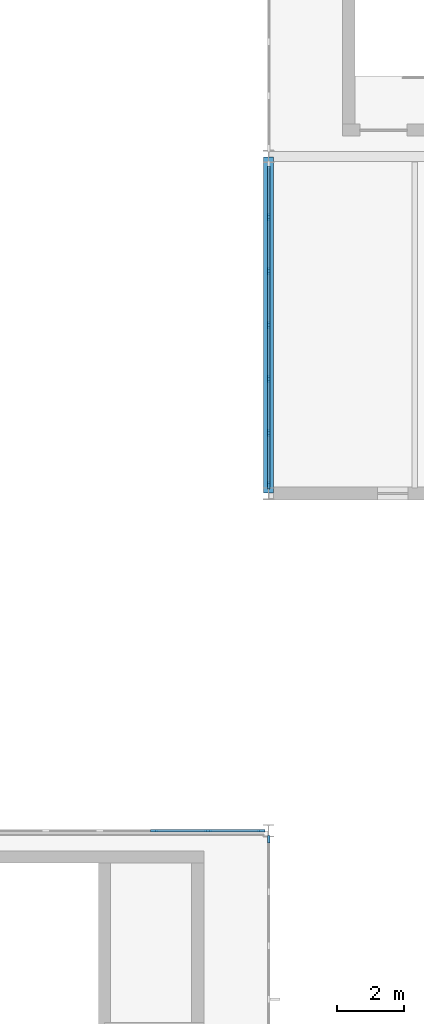
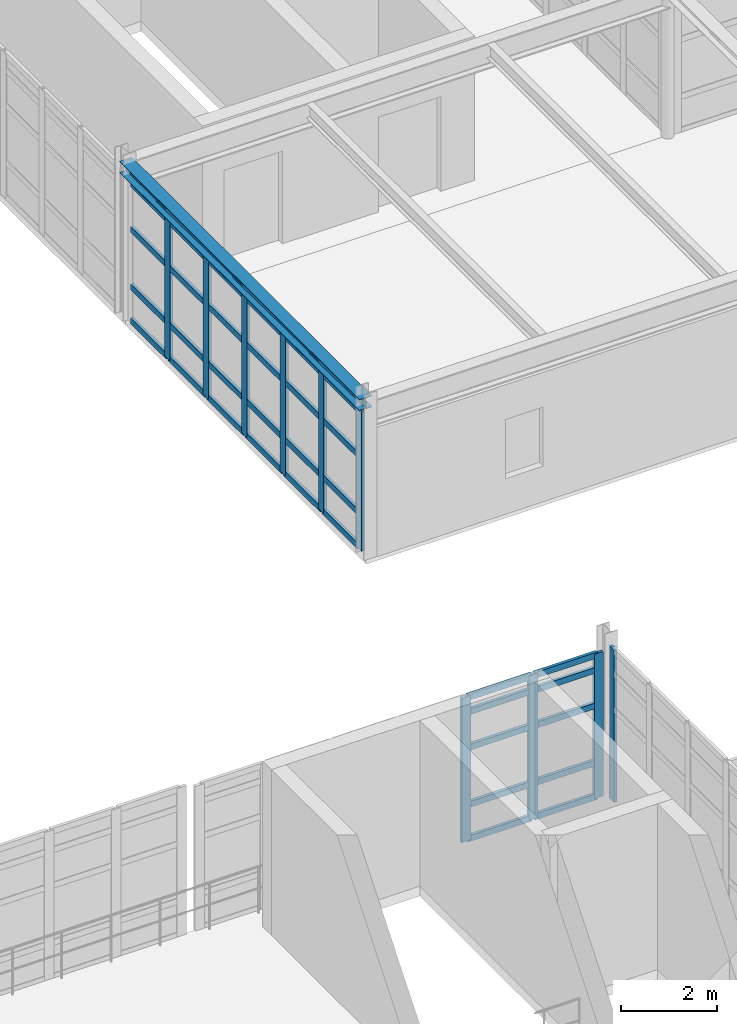
# One storey, part 48 of 122: 44 members, 1 beam, 3 elements without a shape of their own.
"""IFC4 building model written with IfcOpenShell, lengths in metres."""

from ifc_helpers import new_model, si_unit, direction, frame, origin, origin_2d, place, context, subcontext, project, spatial, rectangle, i_section, extrude, material, layer, layer_set, material_profile, profile_set, type_object, element, aggregate, save


model = new_model("IFC4")

# Units and contexts
model_context = context("Model", 3, precision=1e-05, world=origin(), true_north=direction((0.0, 1.0)))
body_context = subcontext(model_context, "Body", "Model", "MODEL_VIEW")
ifc_project = project(units=[si_unit("LENGTHUNIT", "METRE"), si_unit("AREAUNIT", "SQUARE_METRE"), si_unit("VOLUMEUNIT", "CUBIC_METRE"), si_unit("PLANEANGLEUNIT", "RADIAN"), si_unit("MASSUNIT", "GRAM", prefix="KILO"), si_unit("THERMODYNAMICTEMPERATUREUNIT", "KELVIN"), si_unit("POWERUNIT", "WATT")], contexts=[model_context])

# Site, building, storey
site_placement = place(None, origin())
site = spatial("IfcSite", under=ifc_project, at=site_placement, CompositionType="ELEMENT")
building_placement = place(site_placement, origin())
building = spatial("IfcBuilding", under=site, at=building_placement, Name="Korenveer Ferry Terminal", CompositionType="ELEMENT")
storey_placement = place(building_placement, frame((0.0, 0.0, 10.199951171875)))
storey = spatial("IfcBuildingStorey", under=building, at=storey_placement, Name="L02", CompositionType="ELEMENT", Elevation=10.199951171875)

# Curtain wall, members
ifc_material_1 = material(Name="Unitised bronze-and-glass curtain wall", Category="glass")
ifc_layer_1 = layer(ifc_material_1, 0.219970703125)
ifc_layer_set_1 = layer_set([ifc_layer_1], Name="Unitised bronze-and-glass curtain wall")
curtain_wall_type_1 = type_object("IfcCurtainWallType", Name="ENV-CW-91", PredefinedType="USERDEFINED", material=ifc_layer_set_1)
curtain_wall_1_placement = place(storey_placement, frame((113.179931640625, 60.0, 0.0)))
curtain_wall_1 = element("IfcCurtainWall", 1, at=curtain_wall_1_placement, inside=storey, type_object=curtain_wall_type_1, Name="Lancet curtain wall CWX-L02-X113-123-Y60-60", ObjectType="UNITISED CURTAIN WALL", PredefinedType="USERDEFINED")
ifc_material_2 = material(Name="Anodised bronze aluminium", Category="aluminium")
ifc_material_profile_1 = material_profile(ifc_material_2, rectangle(XDim=0.074951171875, YDim=0.219970703125, at=origin_2d()), Name="ALU 75x220")
ifc_profile_set_1 = profile_set([ifc_material_profile_1], Name="Anodised bronze aluminium")
member_type_1 = type_object("IfcMemberType", Name="ENV-CWM-75X220", PredefinedType="MULLION", material=ifc_profile_set_1)
member_1_placement = place(storey_placement, frame((119.606689453125, 60.0, 0.0), z_axis=(0.0, 0.0, 1.0), x_axis=(0.0, 1.0, 0.0)))
member_1 = element("IfcMember", 2, at=member_1_placement, type_object=member_type_1, Name="CW-91 mullion 5", PredefinedType="MULLION", context=body_context, shape_type="SweptSolid", body=[
    extrude(rectangle(XDim=0.074951171875, YDim=0.219970703125, at=origin_2d()), origin(), (0.0, 0.0, 1.0), 3.66015625),
])
member_2_placement = place(storey_placement, frame((121.21337890625, 60.0, 0.0), z_axis=(0.0, 0.0, 1.0), x_axis=(0.0, 1.0, 0.0)))
member_2 = element("IfcMember", 3, at=member_2_placement, type_object=member_type_1, Name="CW-91 mullion 6", PredefinedType="MULLION", context=body_context, shape_type="SweptSolid", body=[
    extrude(rectangle(XDim=0.074951171875, YDim=0.219970703125, at=origin_2d()), origin(), (0.0, 0.0, 1.0), 3.66015625),
])
member_3_placement = place(storey_placement, frame((122.782470703125, 60.0, 0.0), z_axis=(0.0, 0.0, 1.0), x_axis=(0.0, 1.0, 0.0)))
member_3 = element("IfcMember", 4, at=member_3_placement, type_object=member_type_1, Name="CW-91 mullion 7", PredefinedType="MULLION", context=body_context, shape_type="SweptSolid", body=[
    extrude(rectangle(XDim=0.074951171875, YDim=0.219970703125, at=origin_2d()), origin(), (0.0, 0.0, 1.0), 3.66015625),
])

# Curtain wall, member
ifc_layer_2 = layer(ifc_material_1, 0.219970703125)
ifc_layer_set_2 = layer_set([ifc_layer_2], Name="Unitised bronze-and-glass curtain wall")
curtain_wall_type_2 = type_object("IfcCurtainWallType", Name="ENV-CW-120", PredefinedType="USERDEFINED", material=ifc_layer_set_2)
curtain_wall_2_placement = place(storey_placement, frame((123.0, 59.7900390625, 0.0)))
curtain_wall_2 = element("IfcCurtainWall", 5, at=curtain_wall_2_placement, inside=storey, type_object=curtain_wall_type_2, Name="Lancet curtain wall CWX-L02-X123-123-Y50-60", ObjectType="UNITISED CURTAIN WALL", PredefinedType="USERDEFINED")
member_4_placement = place(storey_placement, frame((123.0, 59.75244140625, 0.0), z_axis=(0.0, 0.0, 1.0), x_axis=(1.0, 0.0, 0.0)))
member_4 = element("IfcMember", 6, at=member_4_placement, type_object=member_type_1, Name="CW-120 mullion 1", PredefinedType="MULLION", context=body_context, shape_type="SweptSolid", body=[
    extrude(rectangle(XDim=0.074951171875, YDim=0.219970703125, at=origin_2d()), origin(), (0.0, 0.0, 1.0), 3.860107421875),
])
aggregate(curtain_wall_2, [member_4])

# Curtain wall, members
ifc_layer_3 = layer(ifc_material_1, 0.219970703125)
ifc_layer_set_3 = layer_set([ifc_layer_3], Name="Unitised bronze-and-glass curtain wall")
curtain_wall_type_3 = type_object("IfcCurtainWallType", Name="ENV-CW-121", PredefinedType="USERDEFINED", material=ifc_layer_set_3)
curtain_wall_3_placement = place(storey_placement, frame((123.0, 70.2099609375, 0.0)))
curtain_wall_3 = element("IfcCurtainWall", 7, at=curtain_wall_3_placement, inside=storey, type_object=curtain_wall_type_3, Name="Lancet curtain wall CWX-L02-X123-123-Y70-80", ObjectType="UNITISED CURTAIN WALL", PredefinedType="USERDEFINED")
member_5_placement = place(storey_placement, frame((123.0, 70.24755859375, 0.0), z_axis=(0.0, 0.0, 1.0), x_axis=(-1.0, 0.0, 0.0)))
member_5 = element("IfcMember", 8, at=member_5_placement, type_object=member_type_1, Name="CW-121 mullion 1", PredefinedType="MULLION", context=body_context, shape_type="SweptSolid", body=[
    extrude(rectangle(XDim=0.074951171875, YDim=0.219970703125, at=origin_2d()), origin(), (0.0, 0.0, 1.0), 3.5400390625),
])
member_6_placement = place(storey_placement, frame((123.0, 71.806640625, 0.0), z_axis=(0.0, 0.0, 1.0), x_axis=(-1.0, 0.0, 0.0)))
member_6 = element("IfcMember", 9, at=member_6_placement, type_object=member_type_1, Name="CW-121 mullion 2", PredefinedType="MULLION", context=body_context, shape_type="SweptSolid", body=[
    extrude(rectangle(XDim=0.074951171875, YDim=0.219970703125, at=origin_2d()), origin(), (0.0, 0.0, 1.0), 3.5400390625),
])
member_7_placement = place(storey_placement, frame((123.0, 73.4033203125, 0.0), z_axis=(0.0, 0.0, 1.0), x_axis=(-1.0, 0.0, 0.0)))
member_7 = element("IfcMember", 10, at=member_7_placement, type_object=member_type_1, Name="CW-121 mullion 3", PredefinedType="MULLION", context=body_context, shape_type="SweptSolid", body=[
    extrude(rectangle(XDim=0.074951171875, YDim=0.219970703125, at=origin_2d()), origin(), (0.0, 0.0, 1.0), 3.5400390625),
])
member_8_placement = place(storey_placement, frame((123.0, 75.0, 0.0), z_axis=(0.0, 0.0, 1.0), x_axis=(-1.0, 0.0, 0.0)))
member_8 = element("IfcMember", 11, at=member_8_placement, type_object=member_type_1, Name="CW-121 mullion 4", PredefinedType="MULLION", context=body_context, shape_type="SweptSolid", body=[
    extrude(rectangle(XDim=0.074951171875, YDim=0.219970703125, at=origin_2d()), origin(), (0.0, 0.0, 1.0), 3.5400390625),
])
member_9_placement = place(storey_placement, frame((123.0, 76.5966796875, 0.0), z_axis=(0.0, 0.0, 1.0), x_axis=(-1.0, 0.0, 0.0)))
member_9 = element("IfcMember", 12, at=member_9_placement, type_object=member_type_1, Name="CW-121 mullion 5", PredefinedType="MULLION", context=body_context, shape_type="SweptSolid", body=[
    extrude(rectangle(XDim=0.074951171875, YDim=0.219970703125, at=origin_2d()), origin(), (0.0, 0.0, 1.0), 3.5400390625),
])
member_10_placement = place(storey_placement, frame((123.0, 78.193359375, 0.0), z_axis=(0.0, 0.0, 1.0), x_axis=(-1.0, 0.0, 0.0)))
member_10 = element("IfcMember", 13, at=member_10_placement, type_object=member_type_1, Name="CW-121 mullion 6", PredefinedType="MULLION", context=body_context, shape_type="SweptSolid", body=[
    extrude(rectangle(XDim=0.074951171875, YDim=0.219970703125, at=origin_2d()), origin(), (0.0, 0.0, 1.0), 3.5400390625),
])

# Member
ifc_material_profile_2 = material_profile(ifc_material_2, rectangle(XDim=0.074951171875, YDim=0.14990234375, at=origin_2d()), Name="ALU 75x150")
ifc_profile_set_2 = profile_set([ifc_material_profile_2], Name="Anodised bronze aluminium")
member_type_2 = type_object("IfcMemberType", Name="ENV-CWT-75X150", PredefinedType="USERDEFINED", material=ifc_profile_set_2)
member_11_placement = place(storey_placement, frame((119.644287109375, 60.0, 0.03759765625), z_axis=(1.0, 0.0, 0.0), x_axis=(0.0, 1.0, 0.0)))
member_11 = element("IfcMember", 14, at=member_11_placement, type_object=member_type_2, Name="CW-91 transom 5.1", ObjectType="TRANSOM", PredefinedType="USERDEFINED", context=body_context, shape_type="SweptSolid", body=[
    extrude(rectangle(XDim=0.074951171875, YDim=0.14990234375, at=origin_2d()), origin(), (0.0, 0.0, 1.0), 1.531494140625),
])

member_12_placement = place(storey_placement, frame((119.644287109375, 60.0, 0.900146484375), z_axis=(1.0, 0.0, 0.0), x_axis=(0.0, 1.0, 0.0)))
member_12 = element("IfcMember", 15, at=member_12_placement, type_object=member_type_2, Name="CW-91 transom 5.2", ObjectType="TRANSOM", PredefinedType="USERDEFINED", context=body_context, shape_type="SweptSolid", body=[
    extrude(rectangle(XDim=0.074951171875, YDim=0.14990234375, at=origin_2d()), origin(), (0.0, 0.0, 1.0), 1.531494140625),
])

member_13_placement = place(storey_placement, frame((119.644287109375, 60.0, 2.35009765625), z_axis=(1.0, 0.0, 0.0), x_axis=(0.0, 1.0, 0.0)))
member_13 = element("IfcMember", 16, at=member_13_placement, type_object=member_type_2, Name="CW-91 transom 5.3", ObjectType="TRANSOM", PredefinedType="USERDEFINED", context=body_context, shape_type="SweptSolid", body=[
    extrude(rectangle(XDim=0.074951171875, YDim=0.14990234375, at=origin_2d()), origin(), (0.0, 0.0, 1.0), 1.531494140625),
])

member_14_placement = place(storey_placement, frame((119.644287109375, 60.0, 3.25), z_axis=(1.0, 0.0, 0.0), x_axis=(0.0, 1.0, 0.0)))
member_14 = element("IfcMember", 17, at=member_14_placement, type_object=member_type_2, Name="CW-91 transom 5.4", ObjectType="TRANSOM", PredefinedType="USERDEFINED", context=body_context, shape_type="SweptSolid", body=[
    extrude(rectangle(XDim=0.074951171875, YDim=0.14990234375, at=origin_2d()), origin(), (0.0, 0.0, 1.0), 1.531494140625),
])

member_15_placement = place(storey_placement, frame((119.644287109375, 60.0, 3.62255859375), z_axis=(1.0, 0.0, 0.0), x_axis=(0.0, 1.0, 0.0)))
member_15 = element("IfcMember", 18, at=member_15_placement, type_object=member_type_2, Name="CW-91 transom 5.5", ObjectType="TRANSOM", PredefinedType="USERDEFINED", context=body_context, shape_type="SweptSolid", body=[
    extrude(rectangle(XDim=0.074951171875, YDim=0.14990234375, at=origin_2d()), origin(), (0.0, 0.0, 1.0), 1.531494140625),
])

member_16_placement = place(storey_placement, frame((121.250732421875, 60.0, 0.03759765625), z_axis=(1.0, 0.0, 0.0), x_axis=(0.0, 1.0, 0.0)))
member_16 = element("IfcMember", 19, at=member_16_placement, type_object=member_type_2, Name="CW-91 transom 6.1", ObjectType="TRANSOM", PredefinedType="USERDEFINED", context=body_context, shape_type="SweptSolid", body=[
    extrude(rectangle(XDim=0.074951171875, YDim=0.14990234375, at=origin_2d()), origin(), (0.0, 0.0, 1.0), 1.494384765625),
])

member_17_placement = place(storey_placement, frame((121.250732421875, 60.0, 0.900146484375), z_axis=(1.0, 0.0, 0.0), x_axis=(0.0, 1.0, 0.0)))
member_17 = element("IfcMember", 20, at=member_17_placement, type_object=member_type_2, Name="CW-91 transom 6.2", ObjectType="TRANSOM", PredefinedType="USERDEFINED", context=body_context, shape_type="SweptSolid", body=[
    extrude(rectangle(XDim=0.074951171875, YDim=0.14990234375, at=origin_2d()), origin(), (0.0, 0.0, 1.0), 1.494384765625),
])

member_18_placement = place(storey_placement, frame((121.250732421875, 60.0, 2.35009765625), z_axis=(1.0, 0.0, 0.0), x_axis=(0.0, 1.0, 0.0)))
member_18 = element("IfcMember", 21, at=member_18_placement, type_object=member_type_2, Name="CW-91 transom 6.3", ObjectType="TRANSOM", PredefinedType="USERDEFINED", context=body_context, shape_type="SweptSolid", body=[
    extrude(rectangle(XDim=0.074951171875, YDim=0.14990234375, at=origin_2d()), origin(), (0.0, 0.0, 1.0), 1.494384765625),
])

member_19_placement = place(storey_placement, frame((121.250732421875, 60.0, 3.25), z_axis=(1.0, 0.0, 0.0), x_axis=(0.0, 1.0, 0.0)))
member_19 = element("IfcMember", 22, at=member_19_placement, type_object=member_type_2, Name="CW-91 transom 6.4", ObjectType="TRANSOM", PredefinedType="USERDEFINED", context=body_context, shape_type="SweptSolid", body=[
    extrude(rectangle(XDim=0.074951171875, YDim=0.14990234375, at=origin_2d()), origin(), (0.0, 0.0, 1.0), 1.494384765625),
])

member_20_placement = place(storey_placement, frame((121.250732421875, 60.0, 3.62255859375), z_axis=(1.0, 0.0, 0.0), x_axis=(0.0, 1.0, 0.0)))
member_20 = element("IfcMember", 23, at=member_20_placement, type_object=member_type_2, Name="CW-91 transom 6.5", ObjectType="TRANSOM", PredefinedType="USERDEFINED", context=body_context, shape_type="SweptSolid", body=[
    extrude(rectangle(XDim=0.074951171875, YDim=0.14990234375, at=origin_2d()), origin(), (0.0, 0.0, 1.0), 1.494384765625),
])

aggregate(curtain_wall_1, [member_1, member_2, member_3, member_11, member_12, member_13, member_14, member_15, member_16, member_17, member_18, member_19, member_20])

member_21_placement = place(storey_placement, frame((123.0, 70.284912109375, 0.03759765625), z_axis=(0.0, 1.0, 0.0), x_axis=(-1.0, 0.0, 0.0)))
member_21 = element("IfcMember", 24, at=member_21_placement, type_object=member_type_2, Name="CW-121 transom 1.1", ObjectType="TRANSOM", PredefinedType="USERDEFINED", context=body_context, shape_type="SweptSolid", body=[
    extrude(rectangle(XDim=0.074951171875, YDim=0.14990234375, at=origin_2d()), origin(), (0.0, 0.0, 1.0), 1.484375),
])

member_22_placement = place(storey_placement, frame((123.0, 70.284912109375, 0.900146484375), z_axis=(0.0, 1.0, 0.0), x_axis=(-1.0, 0.0, 0.0)))
member_22 = element("IfcMember", 25, at=member_22_placement, type_object=member_type_2, Name="CW-121 transom 1.2", ObjectType="TRANSOM", PredefinedType="USERDEFINED", context=body_context, shape_type="SweptSolid", body=[
    extrude(rectangle(XDim=0.074951171875, YDim=0.14990234375, at=origin_2d()), origin(), (0.0, 0.0, 1.0), 1.484375),
])

member_23_placement = place(storey_placement, frame((123.0, 70.284912109375, 2.35009765625), z_axis=(0.0, 1.0, 0.0), x_axis=(-1.0, 0.0, 0.0)))
member_23 = element("IfcMember", 26, at=member_23_placement, type_object=member_type_2, Name="CW-121 transom 1.3", ObjectType="TRANSOM", PredefinedType="USERDEFINED", context=body_context, shape_type="SweptSolid", body=[
    extrude(rectangle(XDim=0.074951171875, YDim=0.14990234375, at=origin_2d()), origin(), (0.0, 0.0, 1.0), 1.484375),
])

member_24_placement = place(storey_placement, frame((123.0, 70.284912109375, 3.50244140625), z_axis=(0.0, 1.0, 0.0), x_axis=(-1.0, 0.0, 0.0)))
member_24 = element("IfcMember", 27, at=member_24_placement, type_object=member_type_2, Name="CW-121 transom 1.4", ObjectType="TRANSOM", PredefinedType="USERDEFINED", context=body_context, shape_type="SweptSolid", body=[
    extrude(rectangle(XDim=0.074951171875, YDim=0.14990234375, at=origin_2d()), origin(), (0.0, 0.0, 1.0), 1.484375),
])

member_25_placement = place(storey_placement, frame((123.0, 71.84423828125, 0.03759765625), z_axis=(0.0, 1.0, 0.0), x_axis=(-1.0, 0.0, 0.0)))
member_25 = element("IfcMember", 28, at=member_25_placement, type_object=member_type_2, Name="CW-121 transom 2.1", ObjectType="TRANSOM", PredefinedType="USERDEFINED", context=body_context, shape_type="SweptSolid", body=[
    extrude(rectangle(XDim=0.074951171875, YDim=0.14990234375, at=origin_2d()), origin(), (0.0, 0.0, 1.0), 1.521484375),
])

member_26_placement = place(storey_placement, frame((123.0, 71.84423828125, 0.900146484375), z_axis=(0.0, 1.0, 0.0), x_axis=(-1.0, 0.0, 0.0)))
member_26 = element("IfcMember", 29, at=member_26_placement, type_object=member_type_2, Name="CW-121 transom 2.2", ObjectType="TRANSOM", PredefinedType="USERDEFINED", context=body_context, shape_type="SweptSolid", body=[
    extrude(rectangle(XDim=0.074951171875, YDim=0.14990234375, at=origin_2d()), origin(), (0.0, 0.0, 1.0), 1.521484375),
])

member_27_placement = place(storey_placement, frame((123.0, 71.84423828125, 2.35009765625), z_axis=(0.0, 1.0, 0.0), x_axis=(-1.0, 0.0, 0.0)))
member_27 = element("IfcMember", 30, at=member_27_placement, type_object=member_type_2, Name="CW-121 transom 2.3", ObjectType="TRANSOM", PredefinedType="USERDEFINED", context=body_context, shape_type="SweptSolid", body=[
    extrude(rectangle(XDim=0.074951171875, YDim=0.14990234375, at=origin_2d()), origin(), (0.0, 0.0, 1.0), 1.521484375),
])

member_28_placement = place(storey_placement, frame((123.0, 71.84423828125, 3.50244140625), z_axis=(0.0, 1.0, 0.0), x_axis=(-1.0, 0.0, 0.0)))
member_28 = element("IfcMember", 31, at=member_28_placement, type_object=member_type_2, Name="CW-121 transom 2.4", ObjectType="TRANSOM", PredefinedType="USERDEFINED", context=body_context, shape_type="SweptSolid", body=[
    extrude(rectangle(XDim=0.074951171875, YDim=0.14990234375, at=origin_2d()), origin(), (0.0, 0.0, 1.0), 1.521484375),
])

member_29_placement = place(storey_placement, frame((123.0, 73.44091796875, 0.03759765625), z_axis=(0.0, 1.0, 0.0), x_axis=(-1.0, 0.0, 0.0)))
member_29 = element("IfcMember", 32, at=member_29_placement, type_object=member_type_2, Name="CW-121 transom 3.1", ObjectType="TRANSOM", PredefinedType="USERDEFINED", context=body_context, shape_type="SweptSolid", body=[
    extrude(rectangle(XDim=0.074951171875, YDim=0.14990234375, at=origin_2d()), origin(), (0.0, 0.0, 1.0), 1.521484375),
])

member_30_placement = place(storey_placement, frame((123.0, 73.44091796875, 0.900146484375), z_axis=(0.0, 1.0, 0.0), x_axis=(-1.0, 0.0, 0.0)))
member_30 = element("IfcMember", 33, at=member_30_placement, type_object=member_type_2, Name="CW-121 transom 3.2", ObjectType="TRANSOM", PredefinedType="USERDEFINED", context=body_context, shape_type="SweptSolid", body=[
    extrude(rectangle(XDim=0.074951171875, YDim=0.14990234375, at=origin_2d()), origin(), (0.0, 0.0, 1.0), 1.521484375),
])

member_31_placement = place(storey_placement, frame((123.0, 73.44091796875, 2.35009765625), z_axis=(0.0, 1.0, 0.0), x_axis=(-1.0, 0.0, 0.0)))
member_31 = element("IfcMember", 34, at=member_31_placement, type_object=member_type_2, Name="CW-121 transom 3.3", ObjectType="TRANSOM", PredefinedType="USERDEFINED", context=body_context, shape_type="SweptSolid", body=[
    extrude(rectangle(XDim=0.074951171875, YDim=0.14990234375, at=origin_2d()), origin(), (0.0, 0.0, 1.0), 1.521484375),
])

member_32_placement = place(storey_placement, frame((123.0, 73.44091796875, 3.50244140625), z_axis=(0.0, 1.0, 0.0), x_axis=(-1.0, 0.0, 0.0)))
member_32 = element("IfcMember", 35, at=member_32_placement, type_object=member_type_2, Name="CW-121 transom 3.4", ObjectType="TRANSOM", PredefinedType="USERDEFINED", context=body_context, shape_type="SweptSolid", body=[
    extrude(rectangle(XDim=0.074951171875, YDim=0.14990234375, at=origin_2d()), origin(), (0.0, 0.0, 1.0), 1.521484375),
])

member_33_placement = place(storey_placement, frame((123.0, 75.03759765625, 0.03759765625), z_axis=(0.0, 1.0, 0.0), x_axis=(-1.0, 0.0, 0.0)))
member_33 = element("IfcMember", 36, at=member_33_placement, type_object=member_type_2, Name="CW-121 transom 4.1", ObjectType="TRANSOM", PredefinedType="USERDEFINED", context=body_context, shape_type="SweptSolid", body=[
    extrude(rectangle(XDim=0.074951171875, YDim=0.14990234375, at=origin_2d()), origin(), (0.0, 0.0, 1.0), 1.521484375),
])

member_34_placement = place(storey_placement, frame((123.0, 75.03759765625, 0.900146484375), z_axis=(0.0, 1.0, 0.0), x_axis=(-1.0, 0.0, 0.0)))
member_34 = element("IfcMember", 37, at=member_34_placement, type_object=member_type_2, Name="CW-121 transom 4.2", ObjectType="TRANSOM", PredefinedType="USERDEFINED", context=body_context, shape_type="SweptSolid", body=[
    extrude(rectangle(XDim=0.074951171875, YDim=0.14990234375, at=origin_2d()), origin(), (0.0, 0.0, 1.0), 1.521484375),
])

member_35_placement = place(storey_placement, frame((123.0, 75.03759765625, 2.35009765625), z_axis=(0.0, 1.0, 0.0), x_axis=(-1.0, 0.0, 0.0)))
member_35 = element("IfcMember", 38, at=member_35_placement, type_object=member_type_2, Name="CW-121 transom 4.3", ObjectType="TRANSOM", PredefinedType="USERDEFINED", context=body_context, shape_type="SweptSolid", body=[
    extrude(rectangle(XDim=0.074951171875, YDim=0.14990234375, at=origin_2d()), origin(), (0.0, 0.0, 1.0), 1.521484375),
])

member_36_placement = place(storey_placement, frame((123.0, 75.03759765625, 3.50244140625), z_axis=(0.0, 1.0, 0.0), x_axis=(-1.0, 0.0, 0.0)))
member_36 = element("IfcMember", 39, at=member_36_placement, type_object=member_type_2, Name="CW-121 transom 4.4", ObjectType="TRANSOM", PredefinedType="USERDEFINED", context=body_context, shape_type="SweptSolid", body=[
    extrude(rectangle(XDim=0.074951171875, YDim=0.14990234375, at=origin_2d()), origin(), (0.0, 0.0, 1.0), 1.521484375),
])

member_37_placement = place(storey_placement, frame((123.0, 76.63427734375, 0.03759765625), z_axis=(0.0, 1.0, 0.0), x_axis=(-1.0, 0.0, 0.0)))
member_37 = element("IfcMember", 40, at=member_37_placement, type_object=member_type_2, Name="CW-121 transom 5.1", ObjectType="TRANSOM", PredefinedType="USERDEFINED", context=body_context, shape_type="SweptSolid", body=[
    extrude(rectangle(XDim=0.074951171875, YDim=0.14990234375, at=origin_2d()), origin(), (0.0, 0.0, 1.0), 1.521484375),
])

member_38_placement = place(storey_placement, frame((123.0, 76.63427734375, 0.900146484375), z_axis=(0.0, 1.0, 0.0), x_axis=(-1.0, 0.0, 0.0)))
member_38 = element("IfcMember", 41, at=member_38_placement, type_object=member_type_2, Name="CW-121 transom 5.2", ObjectType="TRANSOM", PredefinedType="USERDEFINED", context=body_context, shape_type="SweptSolid", body=[
    extrude(rectangle(XDim=0.074951171875, YDim=0.14990234375, at=origin_2d()), origin(), (0.0, 0.0, 1.0), 1.521484375),
])

member_39_placement = place(storey_placement, frame((123.0, 76.63427734375, 2.35009765625), z_axis=(0.0, 1.0, 0.0), x_axis=(-1.0, 0.0, 0.0)))
member_39 = element("IfcMember", 42, at=member_39_placement, type_object=member_type_2, Name="CW-121 transom 5.3", ObjectType="TRANSOM", PredefinedType="USERDEFINED", context=body_context, shape_type="SweptSolid", body=[
    extrude(rectangle(XDim=0.074951171875, YDim=0.14990234375, at=origin_2d()), origin(), (0.0, 0.0, 1.0), 1.521484375),
])

member_40_placement = place(storey_placement, frame((123.0, 76.63427734375, 3.50244140625), z_axis=(0.0, 1.0, 0.0), x_axis=(-1.0, 0.0, 0.0)))
member_40 = element("IfcMember", 43, at=member_40_placement, type_object=member_type_2, Name="CW-121 transom 5.4", ObjectType="TRANSOM", PredefinedType="USERDEFINED", context=body_context, shape_type="SweptSolid", body=[
    extrude(rectangle(XDim=0.074951171875, YDim=0.14990234375, at=origin_2d()), origin(), (0.0, 0.0, 1.0), 1.521484375),
])

member_41_placement = place(storey_placement, frame((123.0, 78.230712890625, 0.03759765625), z_axis=(0.0, 1.0, 0.0), x_axis=(-1.0, 0.0, 0.0)))
member_41 = element("IfcMember", 44, at=member_41_placement, type_object=member_type_2, Name="CW-121 transom 6.1", ObjectType="TRANSOM", PredefinedType="USERDEFINED", context=body_context, shape_type="SweptSolid", body=[
    extrude(rectangle(XDim=0.074951171875, YDim=0.14990234375, at=origin_2d()), origin(), (0.0, 0.0, 1.0), 1.484375),
])

member_42_placement = place(storey_placement, frame((123.0, 78.230712890625, 0.900146484375), z_axis=(0.0, 1.0, 0.0), x_axis=(-1.0, 0.0, 0.0)))
member_42 = element("IfcMember", 45, at=member_42_placement, type_object=member_type_2, Name="CW-121 transom 6.2", ObjectType="TRANSOM", PredefinedType="USERDEFINED", context=body_context, shape_type="SweptSolid", body=[
    extrude(rectangle(XDim=0.074951171875, YDim=0.14990234375, at=origin_2d()), origin(), (0.0, 0.0, 1.0), 1.484375),
])

member_43_placement = place(storey_placement, frame((123.0, 78.230712890625, 2.35009765625), z_axis=(0.0, 1.0, 0.0), x_axis=(-1.0, 0.0, 0.0)))
member_43 = element("IfcMember", 46, at=member_43_placement, type_object=member_type_2, Name="CW-121 transom 6.3", ObjectType="TRANSOM", PredefinedType="USERDEFINED", context=body_context, shape_type="SweptSolid", body=[
    extrude(rectangle(XDim=0.074951171875, YDim=0.14990234375, at=origin_2d()), origin(), (0.0, 0.0, 1.0), 1.484375),
])

member_44_placement = place(storey_placement, frame((123.0, 78.230712890625, 3.50244140625), z_axis=(0.0, 1.0, 0.0), x_axis=(-1.0, 0.0, 0.0)))
member_44 = element("IfcMember", 47, at=member_44_placement, type_object=member_type_2, Name="CW-121 transom 6.4", ObjectType="TRANSOM", PredefinedType="USERDEFINED", context=body_context, shape_type="SweptSolid", body=[
    extrude(rectangle(XDim=0.074951171875, YDim=0.14990234375, at=origin_2d()), origin(), (0.0, 0.0, 1.0), 1.484375),
])

aggregate(curtain_wall_3, [member_5, member_6, member_7, member_8, member_9, member_10, member_21, member_22, member_23, member_24, member_25, member_26, member_27, member_28, member_29, member_30, member_31, member_32, member_33, member_34, member_35, member_36, member_37, member_38, member_39, member_40, member_41, member_42, member_43, member_44])

# Beam
ifc_material_3 = material(Name="Steel S355", Category="steel")
ifc_material_profile_3 = material_profile(ifc_material_3, i_section(OverallWidth=0.300048828125, OverallDepth=0.2900390625, WebThickness=0.008544921875, FlangeThickness=0.013916015625, FilletRadius=0.027099609375, at=origin_2d()), Name="HEA 300")
ifc_profile_set_3 = profile_set([ifc_material_profile_3], Name="Steel S355")
beam_type = type_object("IfcBeamType", Name="STR-BM-HEA300", PredefinedType="BEAM", material=ifc_profile_set_3)
beam_placement = place(storey_placement, frame((123.0, 70.02001953125, 3.81494140625), z_axis=(0.0, 1.0, 0.0), x_axis=(-1.0, 0.0, 0.0)))
element("IfcBeam", 48, at=beam_placement, inside=storey, type_object=beam_type, Name="Primary Y girder BMY-L03-X123-Y70-80", PredefinedType="BEAM", context=body_context, shape_type="SweptSolid", body=[
    extrude(i_section(OverallWidth=0.300048828125, OverallDepth=0.2900390625, WebThickness=0.008544921875, FlangeThickness=0.013916015625, FilletRadius=0.027099609375, at=origin_2d()), origin(), (0.0, 0.0, 1.0), 9.9599609375),
])

save(model, "model.ifc")
